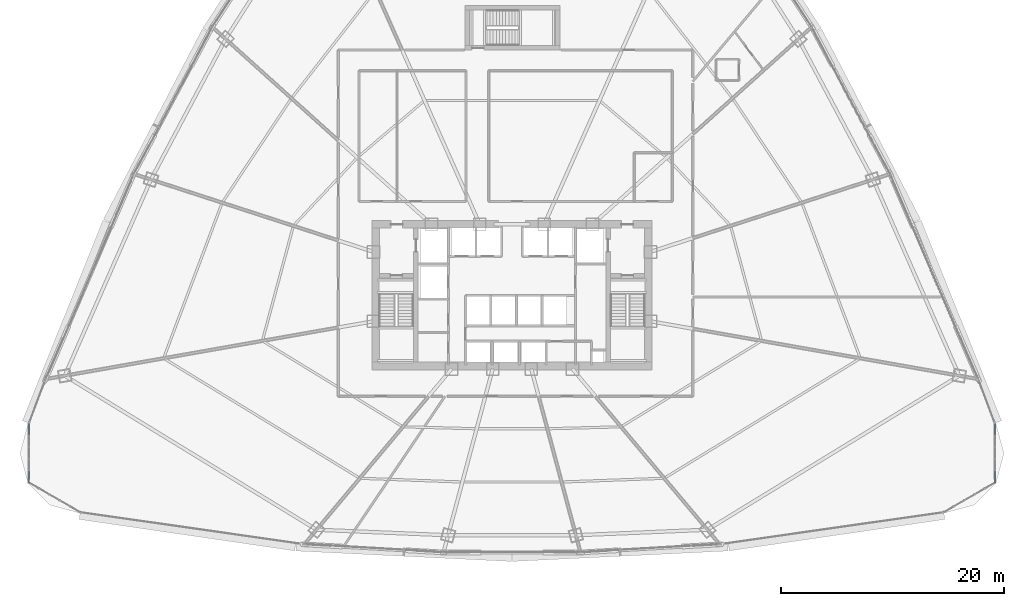
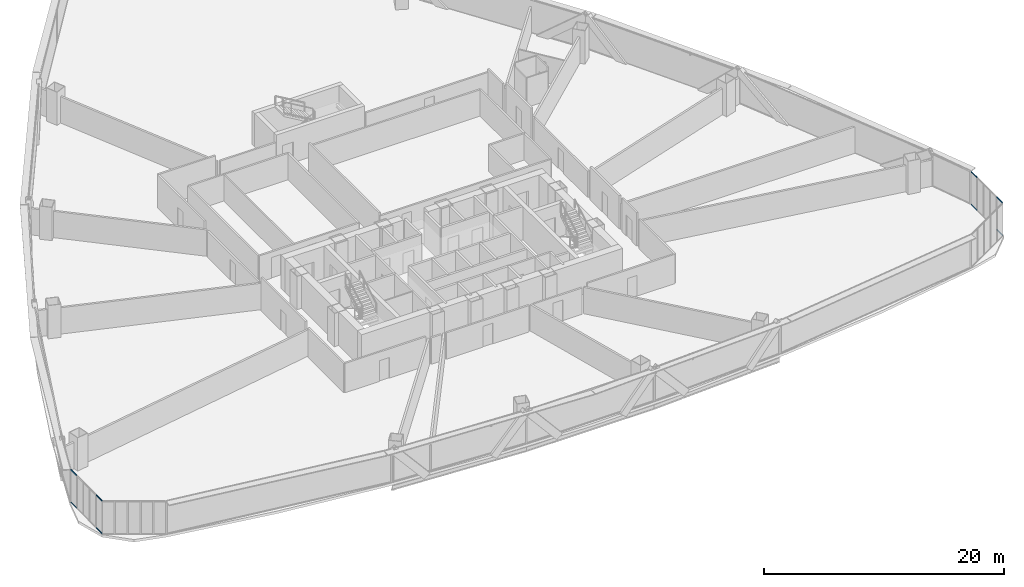
# One storey, part 30 of 42: 8 members, 2 elements without a shape of their own.
"""IFC4 building model written with IfcOpenShell, lengths in metres."""

from ifc_helpers import new_model, si_unit, direction, frame, origin, origin_2d, place, context, subcontext, project, spatial, hollow_rectangle, extrude, source, transform, mapped, material, layer, layer_set, material_profile, profile_set, type_object, element, aggregate, save


model = new_model("IFC4")

# Units and contexts
model_context = context("Model", 3, precision=1e-05, world=origin(), true_north=direction((0.0, 1.0)))
body_context = subcontext(model_context, "Body", "Model", "MODEL_VIEW")
ifc_project = project(units=[si_unit("LENGTHUNIT", "METRE"), si_unit("AREAUNIT", "SQUARE_METRE"), si_unit("VOLUMEUNIT", "CUBIC_METRE"), si_unit("PLANEANGLEUNIT", "RADIAN"), si_unit("MASSUNIT", "GRAM", prefix="KILO"), si_unit("THERMODYNAMICTEMPERATUREUNIT", "KELVIN"), si_unit("POWERUNIT", "WATT")], contexts=[model_context])

# Site, building, storey
site_placement = place(None, origin())
site = spatial("IfcSite", under=ifc_project, at=site_placement, CompositionType="ELEMENT")
building_placement = place(site_placement, origin())
building = spatial("IfcBuilding", under=site, at=building_placement, Name="Yunzhuo Pagoda Commons", CompositionType="ELEMENT")
storey_placement = place(building_placement, frame((0.0, 0.0, 44.919921875)))
storey = spatial("IfcBuildingStorey", under=building, at=storey_placement, Name="L11", CompositionType="ELEMENT", Elevation=44.919921875)

# Curtain wall, members
ifc_material = material(Name="Anodized aluminium 6063-T6", Category="aluminium")
ifc_layer = layer(ifc_material, 0.1298828125)
ifc_layer_set = layer_set([ifc_layer], Name="Anodized aluminium 6063-T6")
curtain_wall_type = type_object("IfcCurtainWallType", Name="CW-VTX Rounded Corner Curtain Wall", PredefinedType="NOTDEFINED", material=ifc_layer_set)
curtain_wall_1_placement = place(storey_placement, origin())
curtain_wall_1 = element("IfcCurtainWall", 1, at=curtain_wall_1_placement, inside=storey, type_object=curtain_wall_type, Name="L11 curtain wall CW-L11-VTX1S1", PredefinedType="NOTDEFINED")
ifc_material_profile = material_profile(ifc_material, hollow_rectangle(XDim=0.054931640625, YDim=0.1201171875, WallThickness=0.00341796875, at=origin_2d()), Name="Anodized aluminium 6063-T6")
ifc_profile_set = profile_set([ifc_material_profile], Name="Anodized aluminium 6063-T6")
member_type = type_object("IfcMemberType", Name="CW-VTX-T Transom RHS 120x55x3.5", PredefinedType="USERDEFINED", material=ifc_profile_set)
shared_shape_1 = source(origin(), body_context, "Body", "SweptSolid", [
    extrude(hollow_rectangle(XDim=0.054931640625, YDim=0.1201171875, WallThickness=0.00341796875, at=origin_2d()), origin(), (0.0, 0.0, 1.0), 0.990478515625),
])
member_1_placement = place(storey_placement, frame((4.748291015625, 22.3291015625, 0.027587890625), z_axis=(-0.003450805187, -0.999994045954, 0.0), x_axis=(0.999994045954, -0.003450805187, 0.0)))
member_1 = element("IfcMember", 2, at=member_1_placement, type_object=member_type, Name="CW transom 1.1", ObjectType="TRANSOM", PredefinedType="USERDEFINED", context=body_context, shape_type="MappedRepresentation", body=[
    mapped(shared_shape_1, transform((0.0, 0.0, 0.0), scale=1.0)),
])
member_2_placement = place(storey_placement, frame((4.748291015625, 22.3291015625, 3.342529296875), z_axis=(-0.003450805187, -0.999994045954, 0.0), x_axis=(0.999994045954, -0.003450805187, 0.0)))
member_2 = element("IfcMember", 3, at=member_2_placement, type_object=member_type, Name="CW transom 1.2", ObjectType="TRANSOM", PredefinedType="USERDEFINED", context=body_context, shape_type="MappedRepresentation", body=[
    mapped(shared_shape_1, transform((0.0, 0.0, 0.0), scale=1.0)),
])

curtain_wall_2_placement = place(storey_placement, origin())
curtain_wall_2 = element("IfcCurtainWall", 4, at=curtain_wall_2_placement, inside=storey, type_object=curtain_wall_type, Name="L11 curtain wall CW-L11-VTX2S2", PredefinedType="NOTDEFINED")
member_3_placement = place(storey_placement, frame((91.255126953125, 21.338623046875, 0.027587890625), z_axis=(-0.003450805187, 0.999994045954, 0.0), x_axis=(-0.999994045954, -0.003450805187, 0.0)))
member_3 = element("IfcMember", 5, at=member_3_placement, type_object=member_type, Name="CW transom 5.1", ObjectType="TRANSOM", PredefinedType="USERDEFINED", context=body_context, shape_type="MappedRepresentation", body=[
    mapped(shared_shape_1, transform((0.0, 0.0, 0.0), scale=1.0)),
])
member_4_placement = place(storey_placement, frame((91.255126953125, 21.338623046875, 3.342529296875), z_axis=(-0.003450805187, 0.999994045954, 0.0), x_axis=(-0.999994045954, -0.003450805187, 0.0)))
member_4 = element("IfcMember", 6, at=member_4_placement, type_object=member_type, Name="CW transom 5.2", ObjectType="TRANSOM", PredefinedType="USERDEFINED", context=body_context, shape_type="MappedRepresentation", body=[
    mapped(shared_shape_1, transform((0.0, 0.0, 0.0), scale=1.0)),
])

# Member
shared_shape_2 = source(origin(), body_context, "Body", "SweptSolid", [
    extrude(hollow_rectangle(XDim=0.054931640625, YDim=0.1201171875, WallThickness=0.00341796875, at=origin_2d()), origin(), (0.0, 0.0, 1.0), 0.990234375),
])
member_5_placement = place(storey_placement, frame((4.733154296875, 18.06494140625, 0.027587890625), z_axis=(-0.003698199562, -0.999993161637, 0.0), x_axis=(0.999993161637, -0.003698199562, 0.0)))
member_5 = element("IfcMember", 7, at=member_5_placement, type_object=member_type, Name="CW transom 5.1", ObjectType="TRANSOM", PredefinedType="USERDEFINED", context=body_context, shape_type="MappedRepresentation", body=[
    mapped(shared_shape_2, transform((0.0, 0.0, 0.0), scale=1.0)),
])

member_6_placement = place(storey_placement, frame((4.733154296875, 18.06494140625, 3.342529296875), z_axis=(-0.003698199562, -0.999993161637, 0.0), x_axis=(0.999993161637, -0.003698199562, 0.0)))
member_6 = element("IfcMember", 8, at=member_6_placement, type_object=member_type, Name="CW transom 5.2", ObjectType="TRANSOM", PredefinedType="USERDEFINED", context=body_context, shape_type="MappedRepresentation", body=[
    mapped(shared_shape_2, transform((0.0, 0.0, 0.0), scale=1.0)),
])

aggregate(curtain_wall_1, [member_1, member_2, member_5, member_6])

member_7_placement = place(storey_placement, frame((91.2705078125, 17.07470703125, 0.027587890625), z_axis=(-0.003698199562, 0.999993161637, 0.0), x_axis=(-0.999993161637, -0.003698199562, 0.0)))
member_7 = element("IfcMember", 9, at=member_7_placement, type_object=member_type, Name="CW transom 1.1", ObjectType="TRANSOM", PredefinedType="USERDEFINED", context=body_context, shape_type="MappedRepresentation", body=[
    mapped(shared_shape_2, transform((0.0, 0.0, 0.0), scale=1.0)),
])

member_8_placement = place(storey_placement, frame((91.2705078125, 17.07470703125, 3.342529296875), z_axis=(-0.003698199562, 0.999993161637, 0.0), x_axis=(-0.999993161637, -0.003698199562, 0.0)))
member_8 = element("IfcMember", 10, at=member_8_placement, type_object=member_type, Name="CW transom 1.2", ObjectType="TRANSOM", PredefinedType="USERDEFINED", context=body_context, shape_type="MappedRepresentation", body=[
    mapped(shared_shape_2, transform((0.0, 0.0, 0.0), scale=1.0)),
])

aggregate(curtain_wall_2, [member_7, member_8, member_3, member_4])

save(model, "model.ifc")
